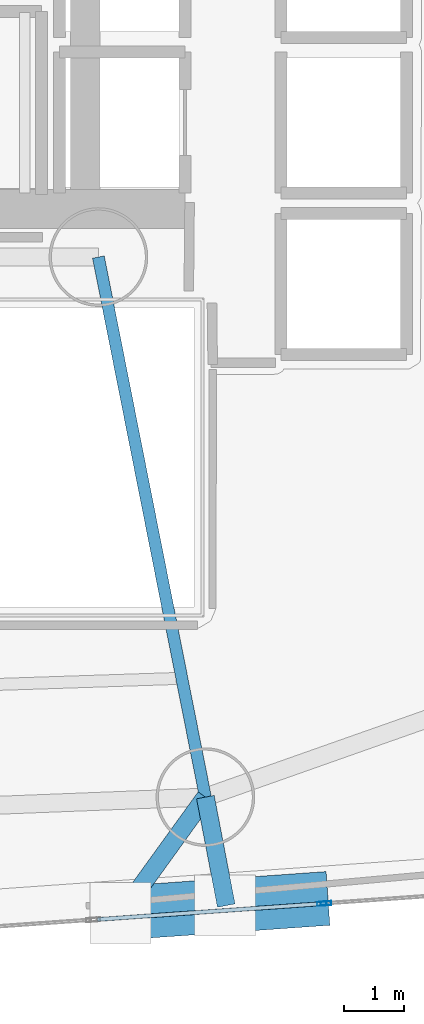
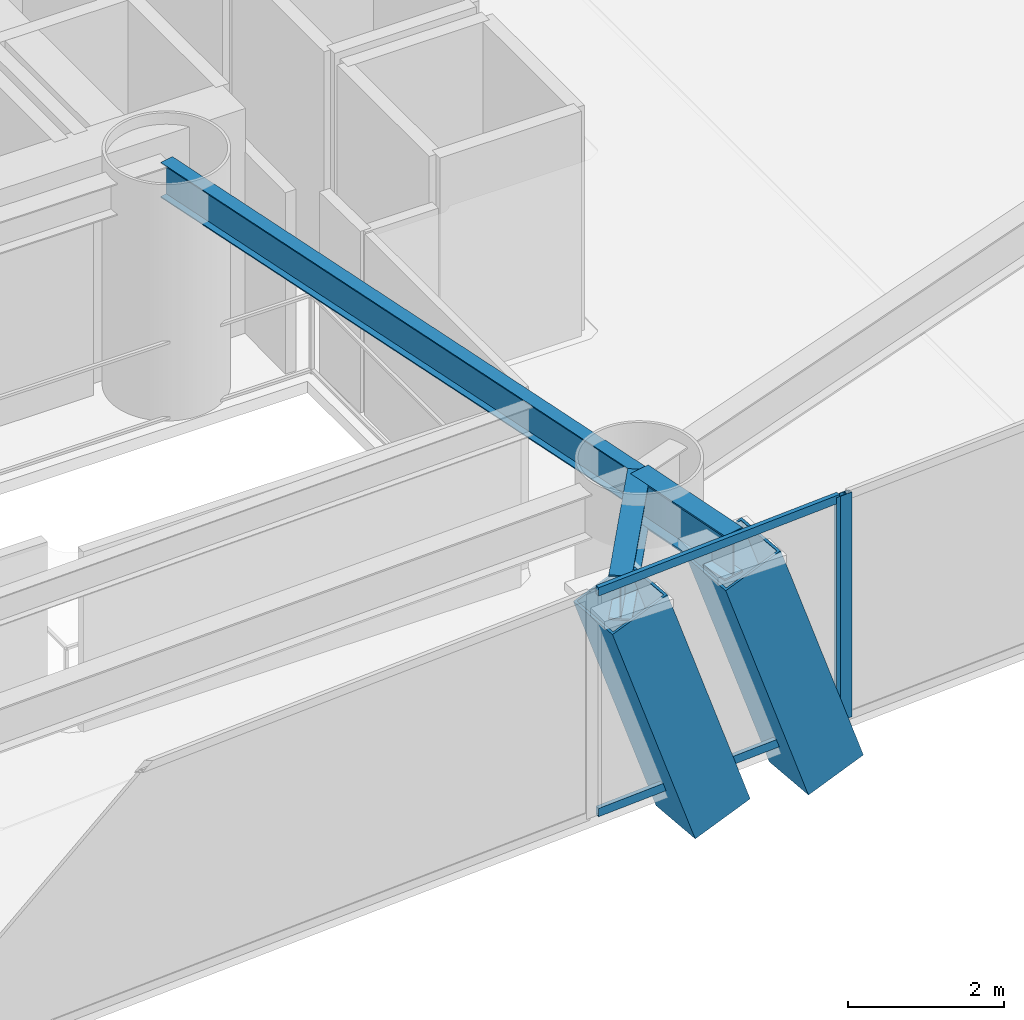
# One storey, part 6 of 24: 6 members, 3 beams, 2 elements without a shape of their own.
"""IFC4 building model written with IfcOpenShell, lengths in metres."""

from ifc_helpers import new_model, si_unit, direction, frame, origin, origin_2d, place, context, subcontext, project, spatial, hollow_rectangle, i_section, extrude, material, layer, layer_set, material_profile, profile_set, type_object, element, aggregate, save


model = new_model("IFC4")

# Units and contexts
model_context = context("Model", 3, precision=1e-05, world=origin(), true_north=direction((0.0, 1.0)))
body_context = subcontext(model_context, "Body", "Model", "MODEL_VIEW")
ifc_project = project(units=[si_unit("LENGTHUNIT", "METRE"), si_unit("AREAUNIT", "SQUARE_METRE"), si_unit("VOLUMEUNIT", "CUBIC_METRE"), si_unit("PLANEANGLEUNIT", "RADIAN"), si_unit("MASSUNIT", "GRAM", prefix="KILO")], contexts=[model_context])

# Site, building, storey
site_placement = place(None, origin())
site = spatial("IfcSite", under=ifc_project, at=site_placement, CompositionType="ELEMENT")
building_placement = place(site_placement, origin())
building = spatial("IfcBuilding", under=site, at=building_placement, Name="Qianvela Tower", CompositionType="ELEMENT")
storey_placement = place(building_placement, frame((0.0, 0.0, 59.89990234375)))
storey = spatial("IfcBuildingStorey", under=building, at=storey_placement, Name="L14", CompositionType="ELEMENT", Elevation=59.89990234375)

# Beams
ifc_material_1 = material(Name="Steel Q355B", Category="steel")
ifc_material_profile_1 = material_profile(ifc_material_1, i_section(OverallWidth=0.199951171875, OverallDepth=0.550048828125, WebThickness=0.010009765625, FlangeThickness=0.01611328125, at=origin_2d()), Name="HN550x200x10x16")
ifc_profile_set_1 = profile_set([ifc_material_profile_1], Name="Steel Q355B")
beam_type_1 = type_object("IfcBeamType", Name="BM-HN550-GIRD", PredefinedType="BEAM", material=ifc_profile_set_1)
beam_1_placement = place(storey_placement, frame((38.39990234375, 23.85009765625, 3.2431640625), z_axis=(0.194325825688, -0.980937038485, 0.0), x_axis=(0.980937038485, 0.194325825688, 0.0)))
element("IfcBeam", 1, at=beam_1_placement, inside=storey, type_object=beam_type_1, Name="L14 Radial Primary Floor Girder 6", PredefinedType="BEAM", context=body_context, shape_type="SweptSolid", body=[
    extrude(i_section(OverallWidth=0.199951171875, OverallDepth=0.550048828125, WebThickness=0.010009765625, FlangeThickness=0.01611328125, at=origin_2d()), origin(), (0.0, 0.0, 1.0), 9.20654296875),
])
ifc_material_2 = material(Name="Steel Q355B", Category="steel")
ifc_material_profile_2 = material_profile(ifc_material_2, i_section(OverallWidth=0.300048828125, OverallDepth=0.699951171875, WebThickness=0.012939453125, FlangeThickness=0.02392578125, at=origin_2d()), Name="HN700x300x13x24")
ifc_profile_set_2 = profile_set([ifc_material_profile_2], Name="Steel Q355B")
beam_type_2 = type_object("IfcBeamType", Name="BM-HN700-SPAND", PredefinedType="SPANDREL", material=ifc_profile_set_2)
beam_2_placement = place(storey_placement, frame((40.18896484375, 14.819091796875, 3.168212890625), z_axis=(-0.585539030591, -0.810644215211, 0.0), x_axis=(0.810644215211, -0.585539030591, 0.0)))
element("IfcBeam", 2, at=beam_2_placement, inside=storey, type_object=beam_type_2, Name="L14 Mega-Brace Column Tie Bracket F3-1", PredefinedType="SPANDREL", context=body_context, shape_type="SweptSolid", body=[
    extrude(i_section(OverallWidth=0.300048828125, OverallDepth=0.699951171875, WebThickness=0.012939453125, FlangeThickness=0.02392578125, at=origin_2d()), origin(), (0.0, 0.0, 1.0), 2.390380859375),
])
beam_3_placement = place(storey_placement, frame((40.18896484375, 14.819091796875, 3.168212890625), z_axis=(0.188690561915, -0.982036593944, 0.0), x_axis=(0.982036593944, 0.188690561915, 0.0)))
element("IfcBeam", 3, at=beam_3_placement, inside=storey, type_object=beam_type_2, Name="L14 Mega-Brace Column Tie Bracket F3-2", PredefinedType="SPANDREL", context=body_context, shape_type="SweptSolid", body=[
    extrude(i_section(OverallWidth=0.300048828125, OverallDepth=0.699951171875, WebThickness=0.012939453125, FlangeThickness=0.02392578125, at=origin_2d()), origin(), (0.0, 0.0, 1.0), 1.84765625),
])

# Curtain wall, members
ifc_material_3 = material(Name="Anodised Architectural Aluminium and Insulated Spandrel Panel", Category="aluminium")
ifc_layer_1 = layer(ifc_material_3, 0.179931640625)
ifc_layer_set_1 = layer_set([ifc_layer_1], Name="Anodised Architectural Aluminium and Insulated Spandrel Panel")
curtain_wall_type_1 = type_object("IfcCurtainWallType", Name="CW-BRACEBAY", PredefinedType="USERDEFINED", material=ifc_layer_set_1)
curtain_wall_1_placement = place(storey_placement, origin())
curtain_wall_1 = element("IfcCurtainWall", 4, at=curtain_wall_1_placement, inside=storey, type_object=curtain_wall_type_1, Name="L14 CW-BRACEBAY Curtain Wall 06B", ObjectType="CURTAIN_WALL_SYSTEM", PredefinedType="USERDEFINED")
ifc_material_4 = material(Name="Anodised Architectural Aluminium 6063-T6", Category="aluminium")
ifc_material_profile_3 = material_profile(ifc_material_4, hollow_rectangle(XDim=0.06494140625, YDim=0.159912109375, WallThickness=0.0048828125, at=origin_2d()), Name="ALU-MULL-65x160")
ifc_profile_set_3 = profile_set([ifc_material_profile_3], Name="Anodised Architectural Aluminium 6063-T6")
member_type_1 = type_object("IfcMemberType", Name="CW-BRACEBAY-MULL", PredefinedType="MULLION", material=ifc_profile_set_3)
member_1_placement = place(storey_placement, frame((42.137451171875, 13.037109375, 0.0), z_axis=(0.0, 0.0, 1.0), x_axis=(-0.07033751359, 0.997523249946, 0.0)))
member_1 = element("IfcMember", 5, at=member_1_placement, type_object=member_type_1, Name="CW-9 mullion 2", PredefinedType="MULLION", context=body_context, shape_type="SweptSolid", body=[
    extrude(hollow_rectangle(XDim=0.06494140625, YDim=0.159912109375, WallThickness=0.0048828125, at=origin_2d()), origin(), (0.0, 0.0, 1.0), 3.52001953125),
])
ifc_material_5 = material(Name="Anodised Architectural Aluminium 6063-T6", Category="aluminium")
ifc_material_profile_4 = material_profile(ifc_material_5, hollow_rectangle(XDim=0.06494140625, YDim=0.1298828125, WallThickness=0.00439453125, at=origin_2d()), Name="ALU-TRAN-65x130")
ifc_profile_set_4 = profile_set([ifc_material_profile_4], Name="Anodised Architectural Aluminium 6063-T6")
member_type_2 = type_object("IfcMemberType", Name="CW-BRACEBAY-TRAN", PredefinedType="USERDEFINED", material=ifc_profile_set_4)
member_2_placement = place(storey_placement, frame((38.38427734375, 12.7724609375, 0.03271484375), z_axis=(0.997521436667, 0.070363224699, 0.0), x_axis=(-0.070363224699, 0.997521436667, 0.0)))
member_2 = element("IfcMember", 6, at=member_2_placement, type_object=member_type_2, Name="CW-9 transom 1.1", ObjectType="TRANSOM", PredefinedType="USERDEFINED", context=body_context, shape_type="SweptSolid", body=[
    extrude(hollow_rectangle(XDim=0.06494140625, YDim=0.1298828125, WallThickness=0.00439453125, at=origin_2d()), origin(), (0.0, 0.0, 1.0), 3.72998046875),
])
member_3_placement = place(storey_placement, frame((38.38427734375, 12.7724609375, 3.487548828125), z_axis=(0.997521436667, 0.070363224699, 0.0), x_axis=(-0.070363224699, 0.997521436667, 0.0)))
member_3 = element("IfcMember", 7, at=member_3_placement, type_object=member_type_2, Name="CW-9 transom 1.2", ObjectType="TRANSOM", PredefinedType="USERDEFINED", context=body_context, shape_type="SweptSolid", body=[
    extrude(hollow_rectangle(XDim=0.06494140625, YDim=0.1298828125, WallThickness=0.00439453125, at=origin_2d()), origin(), (0.0, 0.0, 1.0), 3.72998046875),
])
aggregate(curtain_wall_1, [member_1, member_2, member_3])

# Curtain wall, member
ifc_material_6 = material(Name="Anodised Architectural Aluminium and Low-E Glass", Category="aluminium")
ifc_layer_2 = layer(ifc_material_6, 0.179931640625)
ifc_layer_set_2 = layer_set([ifc_layer_2], Name="Anodised Architectural Aluminium and Low-E Glass")
curtain_wall_type_2 = type_object("IfcCurtainWallType", Name="CW-COLIV-Z12", PredefinedType="USERDEFINED", material=ifc_layer_set_2)
curtain_wall_2_placement = place(storey_placement, origin())
curtain_wall_2 = element("IfcCurtainWall", 8, at=curtain_wall_2_placement, inside=storey, type_object=curtain_wall_type_2, Name="L14 CW-COLIV-Z12 Curtain Wall 06C", ObjectType="CURTAIN_WALL_SYSTEM", PredefinedType="USERDEFINED")
ifc_material_7 = material(Name="Anodised Architectural Aluminium 6063-T6", Category="aluminium")
ifc_material_profile_5 = material_profile(ifc_material_7, hollow_rectangle(XDim=0.070068359375, YDim=0.179931640625, WallThickness=0.0048828125, at=origin_2d()), Name="ALU-MULL-70x180")
ifc_profile_set_5 = profile_set([ifc_material_profile_5], Name="Anodised Architectural Aluminium 6063-T6")
member_type_3 = type_object("IfcMemberType", Name="CW-COLIV-Z12-MULL", PredefinedType="MULLION", material=ifc_profile_set_5)
member_4_placement = place(storey_placement, frame((42.204833984375, 13.0419921875, 0.0), z_axis=(0.0, 0.0, 1.0), x_axis=(-0.070333724777, 0.997523517096, 0.0)))
member_4 = element("IfcMember", 9, at=member_4_placement, type_object=member_type_3, Name="CW-3 mullion 1", PredefinedType="MULLION", context=body_context, shape_type="SweptSolid", body=[
    extrude(hollow_rectangle(XDim=0.070068359375, YDim=0.179931640625, WallThickness=0.0048828125, at=origin_2d()), origin(), (0.0, 0.0, 1.0), 3.52001953125),
])
aggregate(curtain_wall_2, [member_4])

# Members
ifc_material_8 = material(Name="Steel Q420GJC", Category="steel")
ifc_material_profile_6 = material_profile(ifc_material_8, hollow_rectangle(XDim=0.89990234375, YDim=0.89990234375, WallThickness=0.035888671875, at=origin_2d()), Name="MBOX-900x900x36")
ifc_profile_set_6 = profile_set([ifc_material_profile_6], Name="Steel Q420GJC")
member_type_4 = type_object("IfcMemberType", Name="MBR-MBRACE-900", PredefinedType="BRACE", material=ifc_profile_set_6)
for number, where, z_axis, x_axis, name in (
    (10, (40.066650390625, 12.971435546875, -0.531982421875), (-0.32622719556, -0.023007996017, 0.945011348607), (0.07035276802, -0.997522174206, 0.0), "L14 Tier 2 Exterior Mega-Brace F3A"),
    (11, (41.814697265625, 13.0947265625, -0.531982421875), (-0.326171477359, -0.023008463993, 0.945030569845), (0.070366150635, -0.997521230273, 0.0), "L14 Tier 2 Exterior Mega-Brace F3B"),
):
    element("IfcMember", number, at=place(storey_placement, frame(where, z_axis=z_axis, x_axis=x_axis)), inside=storey, type_object=member_type_4, Name=name, PredefinedType="BRACE", context=body_context, shape_type="SweptSolid", body=[
        extrude(hollow_rectangle(XDim=0.89990234375, YDim=0.89990234375, WallThickness=0.035888671875, at=origin_2d()), origin(), (0.0, 0.0, 1.0), 3.91552734375),
    ])

save(model, "model.ifc")
